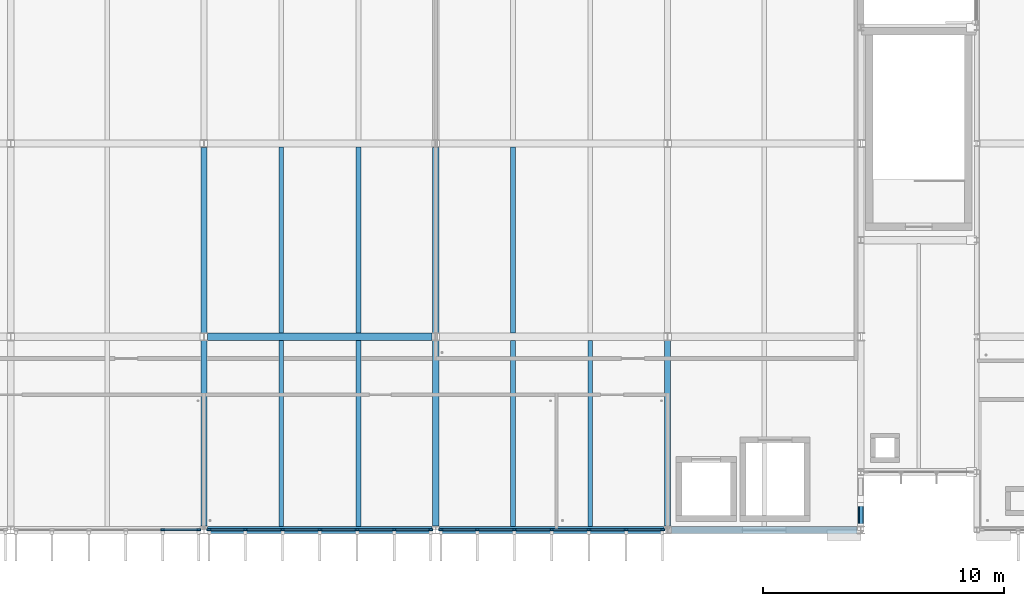
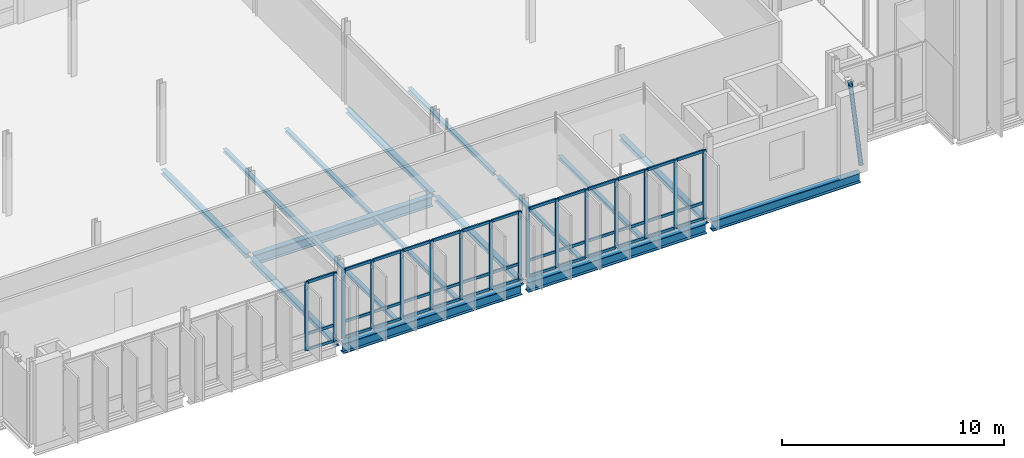
# One storey, part 34 of 110: 56 members, 16 beams, 3 elements without a shape of their own.
"""IFC4 building model written with IfcOpenShell, lengths in metres."""

from ifc_helpers import new_model, si_unit, direction, frame, origin, origin_2d, place, context, subcontext, project, spatial, rectangle, hollow_circle, i_section, extrude, material, material_profile, profile_set, type_object, element, aggregate, save


model = new_model("IFC4")

# Units and contexts
model_context = context("Model", 3, precision=1e-05, world=origin(), true_north=direction((0.0, 1.0)))
body_context = subcontext(model_context, "Body", "Model", "MODEL_VIEW")
ifc_project = project(units=[si_unit("LENGTHUNIT", "METRE"), si_unit("AREAUNIT", "SQUARE_METRE"), si_unit("VOLUMEUNIT", "CUBIC_METRE"), si_unit("PLANEANGLEUNIT", "RADIAN"), si_unit("MASSUNIT", "GRAM", prefix="KILO")], contexts=[model_context])

# Site, building, storey
site_placement = place(None, origin())
site = spatial("IfcSite", under=ifc_project, at=site_placement, CompositionType="ELEMENT")
building_placement = place(site_placement, origin())
building = spatial("IfcBuilding", under=site, at=building_placement, Name="Dunescarp Central Library", CompositionType="ELEMENT")
storey_placement = place(building_placement, frame((0.0, 0.0, 9.60009765625)))
storey = spatial("IfcBuildingStorey", under=building, at=storey_placement, Name="L02", CompositionType="ELEMENT", Elevation=9.60009765625)

# Curtain wall, members
ifc_material_1 = material(Name="Marine-grade anodised aluminium 6063-T6", Category="aluminium")
curtain_wall_type = type_object("IfcCurtainWallType", Name="ARC-CW-STICK", PredefinedType="NOTDEFINED", material=ifc_material_1)
curtain_wall_1_placement = place(storey_placement, origin())
curtain_wall_1 = element("IfcCurtainWall", 1, at=curtain_wall_1_placement, inside=storey, type_object=curtain_wall_type, Name="L02 curtain wall CW-V3-091", PredefinedType="NOTDEFINED")
ifc_material_profile_1 = material_profile(ifc_material_1, rectangle(XDim=0.080078125, YDim=0.179931640625, at=origin_2d()), Name="AL 80x180")
ifc_profile_set_1 = profile_set([ifc_material_profile_1], Name="Marine-grade anodised aluminium 6063-T6")
member_type_1 = type_object("IfcMemberType", Name="ARC-CWM-180", PredefinedType="MULLION", material=ifc_profile_set_1)
member_1_placement = place(storey_placement, frame((97.385009765625, 4.800048828125, 0.0), z_axis=(0.0, 0.0, 1.0), x_axis=(0.0, -1.0, 0.0)))
member_1 = element("IfcMember", 2, at=member_1_placement, type_object=member_type_1, Name="CW-V3-091 mullion 1", PredefinedType="MULLION", context=body_context, shape_type="SweptSolid", body=[
    extrude(rectangle(XDim=0.080078125, YDim=0.179931640625, at=origin_2d()), origin(), (0.0, 0.0, 1.0), 3.77490234375),
])
member_2_placement = place(storey_placement, frame((95.89501953125, 4.800048828125, 0.0), z_axis=(0.0, 0.0, 1.0), x_axis=(0.0, -1.0, 0.0)))
member_2 = element("IfcMember", 3, at=member_2_placement, type_object=member_type_1, Name="CW-V3-091 mullion 2", PredefinedType="MULLION", context=body_context, shape_type="SweptSolid", body=[
    extrude(rectangle(XDim=0.080078125, YDim=0.179931640625, at=origin_2d()), origin(), (0.0, 0.0, 1.0), 3.77490234375),
])

curtain_wall_2_placement = place(storey_placement, origin())
curtain_wall_2 = element("IfcCurtainWall", 4, at=curtain_wall_2_placement, inside=storey, type_object=curtain_wall_type, Name="L02 curtain wall CW-V3-092", PredefinedType="NOTDEFINED")
member_3_placement = place(storey_placement, frame((106.985107421875, 4.800048828125, 0.0), z_axis=(0.0, 0.0, 1.0), x_axis=(0.0, -1.0, 0.0)))
member_3 = element("IfcMember", 5, at=member_3_placement, type_object=member_type_1, Name="CW-V3-092 mullion 1", PredefinedType="MULLION", context=body_context, shape_type="SweptSolid", body=[
    extrude(rectangle(XDim=0.080078125, YDim=0.179931640625, at=origin_2d()), origin(), (0.0, 0.0, 1.0), 3.77490234375),
])
member_4_placement = place(storey_placement, frame((105.4833984375, 4.800048828125, 0.0), z_axis=(0.0, 0.0, 1.0), x_axis=(0.0, -1.0, 0.0)))
member_4 = element("IfcMember", 6, at=member_4_placement, type_object=member_type_1, Name="CW-V3-092 mullion 2", PredefinedType="MULLION", context=body_context, shape_type="SweptSolid", body=[
    extrude(rectangle(XDim=0.080078125, YDim=0.179931640625, at=origin_2d()), origin(), (0.0, 0.0, 1.0), 3.77490234375),
])
member_5_placement = place(storey_placement, frame((103.941650390625, 4.800048828125, 0.0), z_axis=(0.0, 0.0, 1.0), x_axis=(0.0, -1.0, 0.0)))
member_5 = element("IfcMember", 7, at=member_5_placement, type_object=member_type_1, Name="CW-V3-092 mullion 3", PredefinedType="MULLION", context=body_context, shape_type="SweptSolid", body=[
    extrude(rectangle(XDim=0.080078125, YDim=0.179931640625, at=origin_2d()), origin(), (0.0, 0.0, 1.0), 3.77490234375),
])
member_6_placement = place(storey_placement, frame((102.39990234375, 4.800048828125, 0.0), z_axis=(0.0, 0.0, 1.0), x_axis=(0.0, -1.0, 0.0)))
member_6 = element("IfcMember", 8, at=member_6_placement, type_object=member_type_1, Name="CW-V3-092 mullion 4", PredefinedType="MULLION", context=body_context, shape_type="SweptSolid", body=[
    extrude(rectangle(XDim=0.080078125, YDim=0.179931640625, at=origin_2d()), origin(), (0.0, 0.0, 1.0), 3.77490234375),
])
member_7_placement = place(storey_placement, frame((100.8583984375, 4.800048828125, 0.0), z_axis=(0.0, 0.0, 1.0), x_axis=(0.0, -1.0, 0.0)))
member_7 = element("IfcMember", 9, at=member_7_placement, type_object=member_type_1, Name="CW-V3-092 mullion 5", PredefinedType="MULLION", context=body_context, shape_type="SweptSolid", body=[
    extrude(rectangle(XDim=0.080078125, YDim=0.179931640625, at=origin_2d()), origin(), (0.0, 0.0, 1.0), 3.77490234375),
])
member_8_placement = place(storey_placement, frame((99.316650390625, 4.800048828125, 0.0), z_axis=(0.0, 0.0, 1.0), x_axis=(0.0, -1.0, 0.0)))
member_8 = element("IfcMember", 10, at=member_8_placement, type_object=member_type_1, Name="CW-V3-092 mullion 6", PredefinedType="MULLION", context=body_context, shape_type="SweptSolid", body=[
    extrude(rectangle(XDim=0.080078125, YDim=0.179931640625, at=origin_2d()), origin(), (0.0, 0.0, 1.0), 3.77490234375),
])
member_9_placement = place(storey_placement, frame((97.81494140625, 4.800048828125, 0.0), z_axis=(0.0, 0.0, 1.0), x_axis=(0.0, -1.0, 0.0)))
member_9 = element("IfcMember", 11, at=member_9_placement, type_object=member_type_1, Name="CW-V3-092 mullion 7", PredefinedType="MULLION", context=body_context, shape_type="SweptSolid", body=[
    extrude(rectangle(XDim=0.080078125, YDim=0.179931640625, at=origin_2d()), origin(), (0.0, 0.0, 1.0), 3.77490234375),
])

curtain_wall_3_placement = place(storey_placement, origin())
curtain_wall_3 = element("IfcCurtainWall", 12, at=curtain_wall_3_placement, inside=storey, type_object=curtain_wall_type, Name="L02 curtain wall CW-V3-093", PredefinedType="NOTDEFINED")
member_10_placement = place(storey_placement, frame((116.5849609375, 4.800048828125, 0.0), z_axis=(0.0, 0.0, 1.0), x_axis=(0.0, -1.0, 0.0)))
member_10 = element("IfcMember", 13, at=member_10_placement, type_object=member_type_1, Name="CW-V3-093 mullion 1", PredefinedType="MULLION", context=body_context, shape_type="SweptSolid", body=[
    extrude(rectangle(XDim=0.080078125, YDim=0.179931640625, at=origin_2d()), origin(), (0.0, 0.0, 1.0), 3.77490234375),
])
member_11_placement = place(storey_placement, frame((115.083251953125, 4.800048828125, 0.0), z_axis=(0.0, 0.0, 1.0), x_axis=(0.0, -1.0, 0.0)))
member_11 = element("IfcMember", 14, at=member_11_placement, type_object=member_type_1, Name="CW-V3-093 mullion 2", PredefinedType="MULLION", context=body_context, shape_type="SweptSolid", body=[
    extrude(rectangle(XDim=0.080078125, YDim=0.179931640625, at=origin_2d()), origin(), (0.0, 0.0, 1.0), 3.77490234375),
])
member_12_placement = place(storey_placement, frame((113.541748046875, 4.800048828125, 0.0), z_axis=(0.0, 0.0, 1.0), x_axis=(0.0, -1.0, 0.0)))
member_12 = element("IfcMember", 15, at=member_12_placement, type_object=member_type_1, Name="CW-V3-093 mullion 3", PredefinedType="MULLION", context=body_context, shape_type="SweptSolid", body=[
    extrude(rectangle(XDim=0.080078125, YDim=0.179931640625, at=origin_2d()), origin(), (0.0, 0.0, 1.0), 3.77490234375),
])
member_13_placement = place(storey_placement, frame((112.0, 4.800048828125, 0.0), z_axis=(0.0, 0.0, 1.0), x_axis=(0.0, -1.0, 0.0)))
member_13 = element("IfcMember", 16, at=member_13_placement, type_object=member_type_1, Name="CW-V3-093 mullion 4", PredefinedType="MULLION", context=body_context, shape_type="SweptSolid", body=[
    extrude(rectangle(XDim=0.080078125, YDim=0.179931640625, at=origin_2d()), origin(), (0.0, 0.0, 1.0), 3.77490234375),
])
member_14_placement = place(storey_placement, frame((110.458251953125, 4.800048828125, 0.0), z_axis=(0.0, 0.0, 1.0), x_axis=(0.0, -1.0, 0.0)))
member_14 = element("IfcMember", 17, at=member_14_placement, type_object=member_type_1, Name="CW-V3-093 mullion 5", PredefinedType="MULLION", context=body_context, shape_type="SweptSolid", body=[
    extrude(rectangle(XDim=0.080078125, YDim=0.179931640625, at=origin_2d()), origin(), (0.0, 0.0, 1.0), 3.77490234375),
])
member_15_placement = place(storey_placement, frame((108.916748046875, 4.800048828125, 0.0), z_axis=(0.0, 0.0, 1.0), x_axis=(0.0, -1.0, 0.0)))
member_15 = element("IfcMember", 18, at=member_15_placement, type_object=member_type_1, Name="CW-V3-093 mullion 6", PredefinedType="MULLION", context=body_context, shape_type="SweptSolid", body=[
    extrude(rectangle(XDim=0.080078125, YDim=0.179931640625, at=origin_2d()), origin(), (0.0, 0.0, 1.0), 3.77490234375),
])
member_16_placement = place(storey_placement, frame((107.4150390625, 4.800048828125, 0.0), z_axis=(0.0, 0.0, 1.0), x_axis=(0.0, -1.0, 0.0)))
member_16 = element("IfcMember", 19, at=member_16_placement, type_object=member_type_1, Name="CW-V3-093 mullion 7", PredefinedType="MULLION", context=body_context, shape_type="SweptSolid", body=[
    extrude(rectangle(XDim=0.080078125, YDim=0.179931640625, at=origin_2d()), origin(), (0.0, 0.0, 1.0), 3.77490234375),
])

# Member
ifc_material_profile_2 = material_profile(ifc_material_1, rectangle(XDim=0.080078125, YDim=0.14990234375, at=origin_2d()), Name="AL 80x150")
ifc_profile_set_2 = profile_set([ifc_material_profile_2], Name="Marine-grade anodised aluminium 6063-T6")
member_type_2 = type_object("IfcMemberType", Name="ARC-CWT-150", PredefinedType="USERDEFINED", material=ifc_profile_set_2)
member_17_placement = place(storey_placement, frame((97.344970703125, 4.800048828125, 0.039794921875), z_axis=(-1.0, 0.0, 0.0), x_axis=(0.0, -1.0, 0.0)))
member_17 = element("IfcMember", 20, at=member_17_placement, type_object=member_type_2, Name="CW-V3-091 transom 1.1", ObjectType="TRANSOM", PredefinedType="USERDEFINED", context=body_context, shape_type="SweptSolid", body=[
    extrude(rectangle(XDim=0.080078125, YDim=0.14990234375, at=origin_2d()), origin(), (0.0, 0.0, 1.0), 1.409912109375),
])

member_18_placement = place(storey_placement, frame((97.344970703125, 4.800048828125, 0.89990234375), z_axis=(-1.0, 0.0, 0.0), x_axis=(0.0, -1.0, 0.0)))
member_18 = element("IfcMember", 21, at=member_18_placement, type_object=member_type_2, Name="CW-V3-091 transom 1.2", ObjectType="TRANSOM", PredefinedType="USERDEFINED", context=body_context, shape_type="SweptSolid", body=[
    extrude(rectangle(XDim=0.080078125, YDim=0.14990234375, at=origin_2d()), origin(), (0.0, 0.0, 1.0), 1.409912109375),
])

member_19_placement = place(storey_placement, frame((97.344970703125, 4.800048828125, 3.73486328125), z_axis=(-1.0, 0.0, 0.0), x_axis=(0.0, -1.0, 0.0)))
member_19 = element("IfcMember", 22, at=member_19_placement, type_object=member_type_2, Name="CW-V3-091 transom 1.3", ObjectType="TRANSOM", PredefinedType="USERDEFINED", context=body_context, shape_type="SweptSolid", body=[
    extrude(rectangle(XDim=0.080078125, YDim=0.14990234375, at=origin_2d()), origin(), (0.0, 0.0, 1.0), 1.409912109375),
])

aggregate(curtain_wall_1, [member_1, member_2, member_17, member_18, member_19])

member_20_placement = place(storey_placement, frame((106.945068359375, 4.800048828125, 0.039794921875), z_axis=(-1.0, 0.0, 0.0), x_axis=(0.0, -1.0, 0.0)))
member_20 = element("IfcMember", 23, at=member_20_placement, type_object=member_type_2, Name="CW-V3-092 transom 1.1", ObjectType="TRANSOM", PredefinedType="USERDEFINED", context=body_context, shape_type="SweptSolid", body=[
    extrude(rectangle(XDim=0.080078125, YDim=0.14990234375, at=origin_2d()), origin(), (0.0, 0.0, 1.0), 1.421630859375),
])

member_21_placement = place(storey_placement, frame((106.945068359375, 4.800048828125, 0.89990234375), z_axis=(-1.0, 0.0, 0.0), x_axis=(0.0, -1.0, 0.0)))
member_21 = element("IfcMember", 24, at=member_21_placement, type_object=member_type_2, Name="CW-V3-092 transom 1.2", ObjectType="TRANSOM", PredefinedType="USERDEFINED", context=body_context, shape_type="SweptSolid", body=[
    extrude(rectangle(XDim=0.080078125, YDim=0.14990234375, at=origin_2d()), origin(), (0.0, 0.0, 1.0), 1.421630859375),
])

member_22_placement = place(storey_placement, frame((106.945068359375, 4.800048828125, 3.73486328125), z_axis=(-1.0, 0.0, 0.0), x_axis=(0.0, -1.0, 0.0)))
member_22 = element("IfcMember", 25, at=member_22_placement, type_object=member_type_2, Name="CW-V3-092 transom 1.3", ObjectType="TRANSOM", PredefinedType="USERDEFINED", context=body_context, shape_type="SweptSolid", body=[
    extrude(rectangle(XDim=0.080078125, YDim=0.14990234375, at=origin_2d()), origin(), (0.0, 0.0, 1.0), 1.421630859375),
])

member_23_placement = place(storey_placement, frame((105.443359375, 4.800048828125, 0.039794921875), z_axis=(-1.0, 0.0, 0.0), x_axis=(0.0, -1.0, 0.0)))
member_23 = element("IfcMember", 26, at=member_23_placement, type_object=member_type_2, Name="CW-V3-092 transom 2.1", ObjectType="TRANSOM", PredefinedType="USERDEFINED", context=body_context, shape_type="SweptSolid", body=[
    extrude(rectangle(XDim=0.080078125, YDim=0.14990234375, at=origin_2d()), origin(), (0.0, 0.0, 1.0), 1.461669921875),
])

member_24_placement = place(storey_placement, frame((105.443359375, 4.800048828125, 0.89990234375), z_axis=(-1.0, 0.0, 0.0), x_axis=(0.0, -1.0, 0.0)))
member_24 = element("IfcMember", 27, at=member_24_placement, type_object=member_type_2, Name="CW-V3-092 transom 2.2", ObjectType="TRANSOM", PredefinedType="USERDEFINED", context=body_context, shape_type="SweptSolid", body=[
    extrude(rectangle(XDim=0.080078125, YDim=0.14990234375, at=origin_2d()), origin(), (0.0, 0.0, 1.0), 1.461669921875),
])

member_25_placement = place(storey_placement, frame((105.443359375, 4.800048828125, 3.73486328125), z_axis=(-1.0, 0.0, 0.0), x_axis=(0.0, -1.0, 0.0)))
member_25 = element("IfcMember", 28, at=member_25_placement, type_object=member_type_2, Name="CW-V3-092 transom 2.3", ObjectType="TRANSOM", PredefinedType="USERDEFINED", context=body_context, shape_type="SweptSolid", body=[
    extrude(rectangle(XDim=0.080078125, YDim=0.14990234375, at=origin_2d()), origin(), (0.0, 0.0, 1.0), 1.461669921875),
])

member_26_placement = place(storey_placement, frame((103.901611328125, 4.800048828125, 0.039794921875), z_axis=(-1.0, 0.0, 0.0), x_axis=(0.0, -1.0, 0.0)))
member_26 = element("IfcMember", 29, at=member_26_placement, type_object=member_type_2, Name="CW-V3-092 transom 3.1", ObjectType="TRANSOM", PredefinedType="USERDEFINED", context=body_context, shape_type="SweptSolid", body=[
    extrude(rectangle(XDim=0.080078125, YDim=0.14990234375, at=origin_2d()), origin(), (0.0, 0.0, 1.0), 1.461669921875),
])

member_27_placement = place(storey_placement, frame((103.901611328125, 4.800048828125, 0.89990234375), z_axis=(-1.0, 0.0, 0.0), x_axis=(0.0, -1.0, 0.0)))
member_27 = element("IfcMember", 30, at=member_27_placement, type_object=member_type_2, Name="CW-V3-092 transom 3.2", ObjectType="TRANSOM", PredefinedType="USERDEFINED", context=body_context, shape_type="SweptSolid", body=[
    extrude(rectangle(XDim=0.080078125, YDim=0.14990234375, at=origin_2d()), origin(), (0.0, 0.0, 1.0), 1.461669921875),
])

member_28_placement = place(storey_placement, frame((103.901611328125, 4.800048828125, 3.73486328125), z_axis=(-1.0, 0.0, 0.0), x_axis=(0.0, -1.0, 0.0)))
member_28 = element("IfcMember", 31, at=member_28_placement, type_object=member_type_2, Name="CW-V3-092 transom 3.3", ObjectType="TRANSOM", PredefinedType="USERDEFINED", context=body_context, shape_type="SweptSolid", body=[
    extrude(rectangle(XDim=0.080078125, YDim=0.14990234375, at=origin_2d()), origin(), (0.0, 0.0, 1.0), 1.461669921875),
])

member_29_placement = place(storey_placement, frame((102.360107421875, 4.800048828125, 0.039794921875), z_axis=(-1.0, 0.0, 0.0), x_axis=(0.0, -1.0, 0.0)))
member_29 = element("IfcMember", 32, at=member_29_placement, type_object=member_type_2, Name="CW-V3-092 transom 4.1", ObjectType="TRANSOM", PredefinedType="USERDEFINED", context=body_context, shape_type="SweptSolid", body=[
    extrude(rectangle(XDim=0.080078125, YDim=0.14990234375, at=origin_2d()), origin(), (0.0, 0.0, 1.0), 1.461669921875),
])

member_30_placement = place(storey_placement, frame((102.360107421875, 4.800048828125, 0.89990234375), z_axis=(-1.0, 0.0, 0.0), x_axis=(0.0, -1.0, 0.0)))
member_30 = element("IfcMember", 33, at=member_30_placement, type_object=member_type_2, Name="CW-V3-092 transom 4.2", ObjectType="TRANSOM", PredefinedType="USERDEFINED", context=body_context, shape_type="SweptSolid", body=[
    extrude(rectangle(XDim=0.080078125, YDim=0.14990234375, at=origin_2d()), origin(), (0.0, 0.0, 1.0), 1.461669921875),
])

member_31_placement = place(storey_placement, frame((102.360107421875, 4.800048828125, 3.73486328125), z_axis=(-1.0, 0.0, 0.0), x_axis=(0.0, -1.0, 0.0)))
member_31 = element("IfcMember", 34, at=member_31_placement, type_object=member_type_2, Name="CW-V3-092 transom 4.3", ObjectType="TRANSOM", PredefinedType="USERDEFINED", context=body_context, shape_type="SweptSolid", body=[
    extrude(rectangle(XDim=0.080078125, YDim=0.14990234375, at=origin_2d()), origin(), (0.0, 0.0, 1.0), 1.461669921875),
])

member_32_placement = place(storey_placement, frame((100.818359375, 4.800048828125, 0.039794921875), z_axis=(-1.0, 0.0, 0.0), x_axis=(0.0, -1.0, 0.0)))
member_32 = element("IfcMember", 35, at=member_32_placement, type_object=member_type_2, Name="CW-V3-092 transom 5.1", ObjectType="TRANSOM", PredefinedType="USERDEFINED", context=body_context, shape_type="SweptSolid", body=[
    extrude(rectangle(XDim=0.080078125, YDim=0.14990234375, at=origin_2d()), origin(), (0.0, 0.0, 1.0), 1.461669921875),
])

member_33_placement = place(storey_placement, frame((100.818359375, 4.800048828125, 0.89990234375), z_axis=(-1.0, 0.0, 0.0), x_axis=(0.0, -1.0, 0.0)))
member_33 = element("IfcMember", 36, at=member_33_placement, type_object=member_type_2, Name="CW-V3-092 transom 5.2", ObjectType="TRANSOM", PredefinedType="USERDEFINED", context=body_context, shape_type="SweptSolid", body=[
    extrude(rectangle(XDim=0.080078125, YDim=0.14990234375, at=origin_2d()), origin(), (0.0, 0.0, 1.0), 1.461669921875),
])

member_34_placement = place(storey_placement, frame((100.818359375, 4.800048828125, 3.73486328125), z_axis=(-1.0, 0.0, 0.0), x_axis=(0.0, -1.0, 0.0)))
member_34 = element("IfcMember", 37, at=member_34_placement, type_object=member_type_2, Name="CW-V3-092 transom 5.3", ObjectType="TRANSOM", PredefinedType="USERDEFINED", context=body_context, shape_type="SweptSolid", body=[
    extrude(rectangle(XDim=0.080078125, YDim=0.14990234375, at=origin_2d()), origin(), (0.0, 0.0, 1.0), 1.461669921875),
])

member_35_placement = place(storey_placement, frame((99.276611328125, 4.800048828125, 0.039794921875), z_axis=(-1.0, 0.0, 0.0), x_axis=(0.0, -1.0, 0.0)))
member_35 = element("IfcMember", 38, at=member_35_placement, type_object=member_type_2, Name="CW-V3-092 transom 6.1", ObjectType="TRANSOM", PredefinedType="USERDEFINED", context=body_context, shape_type="SweptSolid", body=[
    extrude(rectangle(XDim=0.080078125, YDim=0.14990234375, at=origin_2d()), origin(), (0.0, 0.0, 1.0), 1.421630859375),
])

member_36_placement = place(storey_placement, frame((99.276611328125, 4.800048828125, 0.89990234375), z_axis=(-1.0, 0.0, 0.0), x_axis=(0.0, -1.0, 0.0)))
member_36 = element("IfcMember", 39, at=member_36_placement, type_object=member_type_2, Name="CW-V3-092 transom 6.2", ObjectType="TRANSOM", PredefinedType="USERDEFINED", context=body_context, shape_type="SweptSolid", body=[
    extrude(rectangle(XDim=0.080078125, YDim=0.14990234375, at=origin_2d()), origin(), (0.0, 0.0, 1.0), 1.421630859375),
])

member_37_placement = place(storey_placement, frame((99.276611328125, 4.800048828125, 3.73486328125), z_axis=(-1.0, 0.0, 0.0), x_axis=(0.0, -1.0, 0.0)))
member_37 = element("IfcMember", 40, at=member_37_placement, type_object=member_type_2, Name="CW-V3-092 transom 6.3", ObjectType="TRANSOM", PredefinedType="USERDEFINED", context=body_context, shape_type="SweptSolid", body=[
    extrude(rectangle(XDim=0.080078125, YDim=0.14990234375, at=origin_2d()), origin(), (0.0, 0.0, 1.0), 1.421630859375),
])

aggregate(curtain_wall_2, [member_3, member_4, member_5, member_6, member_7, member_8, member_9, member_20, member_21, member_22, member_23, member_24, member_25, member_26, member_27, member_28, member_29, member_30, member_31, member_32, member_33, member_34, member_35, member_36, member_37])

member_38_placement = place(storey_placement, frame((116.544921875, 4.800048828125, 0.039794921875), z_axis=(-1.0, 0.0, 0.0), x_axis=(0.0, -1.0, 0.0)))
member_38 = element("IfcMember", 41, at=member_38_placement, type_object=member_type_2, Name="CW-V3-093 transom 1.1", ObjectType="TRANSOM", PredefinedType="USERDEFINED", context=body_context, shape_type="SweptSolid", body=[
    extrude(rectangle(XDim=0.080078125, YDim=0.14990234375, at=origin_2d()), origin(), (0.0, 0.0, 1.0), 1.421630859375),
])

member_39_placement = place(storey_placement, frame((116.544921875, 4.800048828125, 0.89990234375), z_axis=(-1.0, 0.0, 0.0), x_axis=(0.0, -1.0, 0.0)))
member_39 = element("IfcMember", 42, at=member_39_placement, type_object=member_type_2, Name="CW-V3-093 transom 1.2", ObjectType="TRANSOM", PredefinedType="USERDEFINED", context=body_context, shape_type="SweptSolid", body=[
    extrude(rectangle(XDim=0.080078125, YDim=0.14990234375, at=origin_2d()), origin(), (0.0, 0.0, 1.0), 1.421630859375),
])

member_40_placement = place(storey_placement, frame((116.544921875, 4.800048828125, 3.73486328125), z_axis=(-1.0, 0.0, 0.0), x_axis=(0.0, -1.0, 0.0)))
member_40 = element("IfcMember", 43, at=member_40_placement, type_object=member_type_2, Name="CW-V3-093 transom 1.3", ObjectType="TRANSOM", PredefinedType="USERDEFINED", context=body_context, shape_type="SweptSolid", body=[
    extrude(rectangle(XDim=0.080078125, YDim=0.14990234375, at=origin_2d()), origin(), (0.0, 0.0, 1.0), 1.421630859375),
])

member_41_placement = place(storey_placement, frame((115.043212890625, 4.800048828125, 0.039794921875), z_axis=(-1.0, 0.0, 0.0), x_axis=(0.0, -1.0, 0.0)))
member_41 = element("IfcMember", 44, at=member_41_placement, type_object=member_type_2, Name="CW-V3-093 transom 2.1", ObjectType="TRANSOM", PredefinedType="USERDEFINED", context=body_context, shape_type="SweptSolid", body=[
    extrude(rectangle(XDim=0.080078125, YDim=0.14990234375, at=origin_2d()), origin(), (0.0, 0.0, 1.0), 1.46142578125),
])

member_42_placement = place(storey_placement, frame((115.043212890625, 4.800048828125, 0.89990234375), z_axis=(-1.0, 0.0, 0.0), x_axis=(0.0, -1.0, 0.0)))
member_42 = element("IfcMember", 45, at=member_42_placement, type_object=member_type_2, Name="CW-V3-093 transom 2.2", ObjectType="TRANSOM", PredefinedType="USERDEFINED", context=body_context, shape_type="SweptSolid", body=[
    extrude(rectangle(XDim=0.080078125, YDim=0.14990234375, at=origin_2d()), origin(), (0.0, 0.0, 1.0), 1.46142578125),
])

member_43_placement = place(storey_placement, frame((115.043212890625, 4.800048828125, 3.73486328125), z_axis=(-1.0, 0.0, 0.0), x_axis=(0.0, -1.0, 0.0)))
member_43 = element("IfcMember", 46, at=member_43_placement, type_object=member_type_2, Name="CW-V3-093 transom 2.3", ObjectType="TRANSOM", PredefinedType="USERDEFINED", context=body_context, shape_type="SweptSolid", body=[
    extrude(rectangle(XDim=0.080078125, YDim=0.14990234375, at=origin_2d()), origin(), (0.0, 0.0, 1.0), 1.46142578125),
])

member_44_placement = place(storey_placement, frame((113.501708984375, 4.800048828125, 0.039794921875), z_axis=(-1.0, 0.0, 0.0), x_axis=(0.0, -1.0, 0.0)))
member_44 = element("IfcMember", 47, at=member_44_placement, type_object=member_type_2, Name="CW-V3-093 transom 3.1", ObjectType="TRANSOM", PredefinedType="USERDEFINED", context=body_context, shape_type="SweptSolid", body=[
    extrude(rectangle(XDim=0.080078125, YDim=0.14990234375, at=origin_2d()), origin(), (0.0, 0.0, 1.0), 1.461669921875),
])

member_45_placement = place(storey_placement, frame((113.501708984375, 4.800048828125, 0.89990234375), z_axis=(-1.0, 0.0, 0.0), x_axis=(0.0, -1.0, 0.0)))
member_45 = element("IfcMember", 48, at=member_45_placement, type_object=member_type_2, Name="CW-V3-093 transom 3.2", ObjectType="TRANSOM", PredefinedType="USERDEFINED", context=body_context, shape_type="SweptSolid", body=[
    extrude(rectangle(XDim=0.080078125, YDim=0.14990234375, at=origin_2d()), origin(), (0.0, 0.0, 1.0), 1.461669921875),
])

member_46_placement = place(storey_placement, frame((113.501708984375, 4.800048828125, 3.73486328125), z_axis=(-1.0, 0.0, 0.0), x_axis=(0.0, -1.0, 0.0)))
member_46 = element("IfcMember", 49, at=member_46_placement, type_object=member_type_2, Name="CW-V3-093 transom 3.3", ObjectType="TRANSOM", PredefinedType="USERDEFINED", context=body_context, shape_type="SweptSolid", body=[
    extrude(rectangle(XDim=0.080078125, YDim=0.14990234375, at=origin_2d()), origin(), (0.0, 0.0, 1.0), 1.461669921875),
])

member_47_placement = place(storey_placement, frame((111.9599609375, 4.800048828125, 0.039794921875), z_axis=(-1.0, 0.0, 0.0), x_axis=(0.0, -1.0, 0.0)))
member_47 = element("IfcMember", 50, at=member_47_placement, type_object=member_type_2, Name="CW-V3-093 transom 4.1", ObjectType="TRANSOM", PredefinedType="USERDEFINED", context=body_context, shape_type="SweptSolid", body=[
    extrude(rectangle(XDim=0.080078125, YDim=0.14990234375, at=origin_2d()), origin(), (0.0, 0.0, 1.0), 1.461669921875),
])

member_48_placement = place(storey_placement, frame((111.9599609375, 4.800048828125, 0.89990234375), z_axis=(-1.0, 0.0, 0.0), x_axis=(0.0, -1.0, 0.0)))
member_48 = element("IfcMember", 51, at=member_48_placement, type_object=member_type_2, Name="CW-V3-093 transom 4.2", ObjectType="TRANSOM", PredefinedType="USERDEFINED", context=body_context, shape_type="SweptSolid", body=[
    extrude(rectangle(XDim=0.080078125, YDim=0.14990234375, at=origin_2d()), origin(), (0.0, 0.0, 1.0), 1.461669921875),
])

member_49_placement = place(storey_placement, frame((111.9599609375, 4.800048828125, 3.73486328125), z_axis=(-1.0, 0.0, 0.0), x_axis=(0.0, -1.0, 0.0)))
member_49 = element("IfcMember", 52, at=member_49_placement, type_object=member_type_2, Name="CW-V3-093 transom 4.3", ObjectType="TRANSOM", PredefinedType="USERDEFINED", context=body_context, shape_type="SweptSolid", body=[
    extrude(rectangle(XDim=0.080078125, YDim=0.14990234375, at=origin_2d()), origin(), (0.0, 0.0, 1.0), 1.461669921875),
])

member_50_placement = place(storey_placement, frame((110.418212890625, 4.800048828125, 0.039794921875), z_axis=(-1.0, 0.0, 0.0), x_axis=(0.0, -1.0, 0.0)))
member_50 = element("IfcMember", 53, at=member_50_placement, type_object=member_type_2, Name="CW-V3-093 transom 5.1", ObjectType="TRANSOM", PredefinedType="USERDEFINED", context=body_context, shape_type="SweptSolid", body=[
    extrude(rectangle(XDim=0.080078125, YDim=0.14990234375, at=origin_2d()), origin(), (0.0, 0.0, 1.0), 1.46142578125),
])

member_51_placement = place(storey_placement, frame((110.418212890625, 4.800048828125, 0.89990234375), z_axis=(-1.0, 0.0, 0.0), x_axis=(0.0, -1.0, 0.0)))
member_51 = element("IfcMember", 54, at=member_51_placement, type_object=member_type_2, Name="CW-V3-093 transom 5.2", ObjectType="TRANSOM", PredefinedType="USERDEFINED", context=body_context, shape_type="SweptSolid", body=[
    extrude(rectangle(XDim=0.080078125, YDim=0.14990234375, at=origin_2d()), origin(), (0.0, 0.0, 1.0), 1.46142578125),
])

member_52_placement = place(storey_placement, frame((110.418212890625, 4.800048828125, 3.73486328125), z_axis=(-1.0, 0.0, 0.0), x_axis=(0.0, -1.0, 0.0)))
member_52 = element("IfcMember", 55, at=member_52_placement, type_object=member_type_2, Name="CW-V3-093 transom 5.3", ObjectType="TRANSOM", PredefinedType="USERDEFINED", context=body_context, shape_type="SweptSolid", body=[
    extrude(rectangle(XDim=0.080078125, YDim=0.14990234375, at=origin_2d()), origin(), (0.0, 0.0, 1.0), 1.46142578125),
])

member_53_placement = place(storey_placement, frame((108.876708984375, 4.800048828125, 0.039794921875), z_axis=(-1.0, 0.0, 0.0), x_axis=(0.0, -1.0, 0.0)))
member_53 = element("IfcMember", 56, at=member_53_placement, type_object=member_type_2, Name="CW-V3-093 transom 6.1", ObjectType="TRANSOM", PredefinedType="USERDEFINED", context=body_context, shape_type="SweptSolid", body=[
    extrude(rectangle(XDim=0.080078125, YDim=0.14990234375, at=origin_2d()), origin(), (0.0, 0.0, 1.0), 1.421630859375),
])

member_54_placement = place(storey_placement, frame((108.876708984375, 4.800048828125, 0.89990234375), z_axis=(-1.0, 0.0, 0.0), x_axis=(0.0, -1.0, 0.0)))
member_54 = element("IfcMember", 57, at=member_54_placement, type_object=member_type_2, Name="CW-V3-093 transom 6.2", ObjectType="TRANSOM", PredefinedType="USERDEFINED", context=body_context, shape_type="SweptSolid", body=[
    extrude(rectangle(XDim=0.080078125, YDim=0.14990234375, at=origin_2d()), origin(), (0.0, 0.0, 1.0), 1.421630859375),
])

member_55_placement = place(storey_placement, frame((108.876708984375, 4.800048828125, 3.73486328125), z_axis=(-1.0, 0.0, 0.0), x_axis=(0.0, -1.0, 0.0)))
member_55 = element("IfcMember", 58, at=member_55_placement, type_object=member_type_2, Name="CW-V3-093 transom 6.3", ObjectType="TRANSOM", PredefinedType="USERDEFINED", context=body_context, shape_type="SweptSolid", body=[
    extrude(rectangle(XDim=0.080078125, YDim=0.14990234375, at=origin_2d()), origin(), (0.0, 0.0, 1.0), 1.421630859375),
])

aggregate(curtain_wall_3, [member_10, member_11, member_12, member_13, member_14, member_15, member_16, member_38, member_39, member_40, member_41, member_42, member_43, member_44, member_45, member_46, member_47, member_48, member_49, member_50, member_51, member_52, member_53, member_54, member_55])

# Beams
ifc_material_2 = material(Name="Steel S355JR", Category="steel")
ifc_material_profile_3 = material_profile(ifc_material_2, i_section(OverallWidth=0.260009765625, OverallDepth=0.25, WebThickness=0.007568359375, FlangeThickness=0.012451171875, at=origin_2d()), Name="HEA 260")
ifc_profile_set_3 = profile_set([ifc_material_profile_3], Name="Steel S355JR")
beam_type_1 = type_object("IfcBeamType", Name="STR-BM-HEA260", PredefinedType="BEAM", material=ifc_profile_set_3)
for number, where, z_axis, x_axis, name in (
    (59, (97.60009765625, 4.95703125, -0.335205078125), (0.0, 1.0, 0.0), (-1.0, 0.0, 0.0), "L02 girder BM-L02-0751"),
    (60, (97.60009765625, 12.95703125, -0.335205078125), (0.0, 1.0, 0.0), (-1.0, 0.0, 0.0), "L02 girder BM-L02-0754"),
    (61, (107.199951171875, 4.95703125, -0.335205078125), (0.0, 1.0, 0.0), (-1.0, 0.0, 0.0), "L02 girder BM-L02-0764"),
    (62, (107.199951171875, 12.95703125, -0.335205078125), (0.0, 1.0, 0.0), (-1.0, 0.0, 0.0), "L02 girder BM-L02-0768"),
    (63, (116.800048828125, 4.95703125, -0.335205078125), (0.0, 1.0, 0.0), (-1.0, 0.0, 0.0), "L02 girder BM-L02-0781"),
):
    element("IfcBeam", number, at=place(storey_placement, frame(where, z_axis=z_axis, x_axis=x_axis)), inside=storey, type_object=beam_type_1, Name=name, PredefinedType="BEAM", context=body_context, shape_type="SweptSolid", body=[
        extrude(i_section(OverallWidth=0.260009765625, OverallDepth=0.25, WebThickness=0.007568359375, FlangeThickness=0.012451171875, at=origin_2d()), origin(), (0.0, 0.0, 1.0), 7.68603515625),
    ])
ifc_material_profile_4 = material_profile(ifc_material_2, i_section(OverallWidth=0.300048828125, OverallDepth=0.550048828125, WebThickness=0.014892578125, FlangeThickness=0.029052734375, at=origin_2d()), Name="HEB 550")
ifc_profile_set_4 = profile_set([ifc_material_profile_4], Name="Steel S355JR")
beam_type_2 = type_object("IfcBeamType", Name="STR-BM-HEB550", PredefinedType="BEAM", material=ifc_profile_set_4)
for number, where, z_axis, x_axis, name in (
    (64, (97.751953125, 4.800048828125, -0.485107421875), (1.0, 0.0, 0.0), (0.0, 1.0, 0.0), "L02 girder BM-L02-0762"),
    (65, (97.751953125, 12.800048828125, -0.485107421875), (1.0, 0.0, 0.0), (0.0, 1.0, 0.0), "L02 girder BM-L02-0763"),
):
    element("IfcBeam", number, at=place(storey_placement, frame(where, z_axis=z_axis, x_axis=x_axis)), inside=storey, type_object=beam_type_2, Name=name, PredefinedType="BEAM", context=body_context, shape_type="SweptSolid", body=[
        extrude(i_section(OverallWidth=0.300048828125, OverallDepth=0.550048828125, WebThickness=0.014892578125, FlangeThickness=0.029052734375, at=origin_2d()), origin(), (0.0, 0.0, 1.0), 9.296142578125),
    ])
beam_1_placement = place(storey_placement, frame((107.35205078125, 4.800048828125, -0.485107421875), z_axis=(1.0, 0.0, 0.0), x_axis=(0.0, 1.0, 0.0)))
element("IfcBeam", 66, at=beam_1_placement, inside=storey, type_object=beam_type_2, Name="L02 girder BM-L02-0779", PredefinedType="BEAM", context=body_context, shape_type="SweptSolid", body=[
    extrude(i_section(OverallWidth=0.300048828125, OverallDepth=0.550048828125, WebThickness=0.014892578125, FlangeThickness=0.029052734375, at=origin_2d()), origin(), (0.0, 0.0, 1.0), 9.2958984375),
])
beam_2_placement = place(storey_placement, frame((116.951904296875, 4.800048828125, -0.485107421875), z_axis=(1.0, 0.0, 0.0), x_axis=(0.0, 1.0, 0.0)))
element("IfcBeam", 67, at=beam_2_placement, inside=storey, type_object=beam_type_2, Name="L02 girder BM-L02-0796", PredefinedType="BEAM", context=body_context, shape_type="SweptSolid", body=[
    extrude(i_section(OverallWidth=0.300048828125, OverallDepth=0.550048828125, WebThickness=0.014892578125, FlangeThickness=0.029052734375, at=origin_2d()), origin(), (0.0, 0.0, 1.0), 7.696044921875),
])

# Member
ifc_material_3 = material(Name="Steel S355J0", Category="steel")
ifc_material_profile_5 = material_profile(ifc_material_3, hollow_circle(Radius=0.109619140625, WallThickness=0.010009765625, at=origin_2d()), Name="CHS 219.1x10")
ifc_profile_set_5 = profile_set([ifc_material_profile_5], Name="Steel S355J0")
member_type_3 = type_object("IfcMemberType", Name="STR-BR-219", PredefinedType="BRACE", material=ifc_profile_set_5)
member_56_placement = place(storey_placement, frame((124.800048828125, 4.919921875, 0.0), z_axis=(0.0, 0.241398356802, 0.970426109157), x_axis=(-1.0, 0.0, 0.0)))
element("IfcMember", 68, at=member_56_placement, inside=storey, type_object=member_type_3, Name="L02 concentric brace BR-L02-045", PredefinedType="BRACE", context=body_context, shape_type="SweptSolid", body=[
    extrude(hollow_circle(Radius=0.109619140625, WallThickness=0.010009765625, at=origin_2d()), origin(), (0.0, 0.0, 1.0), 4.142578125),
])

# Beams
ifc_material_profile_6 = material_profile(ifc_material_2, i_section(OverallWidth=0.199951171875, OverallDepth=0.18994140625, WebThickness=0.006591796875, FlangeThickness=0.010009765625, at=origin_2d()), Name="HEA 200")
ifc_profile_set_6 = profile_set([ifc_material_profile_6], Name="Steel S355JR")
beam_type_3 = type_object("IfcBeamType", Name="STR-JS-HEA200", PredefinedType="JOIST", material=ifc_profile_set_6)
for number, where, z_axis, x_axis, name in (
    (69, (100.800048828125, 4.947998046875, -0.30517578125), (0.0, 1.0, 0.0), (-1.0, 0.0, 0.0), "L02 joist JS-L02-0765"),
    (70, (104.0, 4.947998046875, -0.30517578125), (0.0, 1.0, 0.0), (-1.0, 0.0, 0.0), "L02 joist JS-L02-0766"),
    (71, (100.800048828125, 12.947998046875, -0.30517578125), (0.0, 1.0, 0.0), (-1.0, 0.0, 0.0), "L02 joist JS-L02-0769"),
    (72, (104.0, 12.947998046875, -0.30517578125), (0.0, 1.0, 0.0), (-1.0, 0.0, 0.0), "L02 joist JS-L02-0770"),
    (73, (110.39990234375, 4.947998046875, -0.30517578125), (0.0, 1.0, 0.0), (-1.0, 0.0, 0.0), "L02 joist JS-L02-0782"),
    (74, (113.60009765625, 4.947998046875, -0.30517578125), (0.0, 1.0, 0.0), (-1.0, 0.0, 0.0), "L02 joist JS-L02-0783"),
    (75, (110.39990234375, 12.947998046875, -0.30517578125), (0.0, 1.0, 0.0), (-1.0, 0.0, 0.0), "L02 joist JS-L02-0786"),
):
    element("IfcBeam", number, at=place(storey_placement, frame(where, z_axis=z_axis, x_axis=x_axis)), inside=storey, type_object=beam_type_3, Name=name, PredefinedType="JOIST", context=body_context, shape_type="SweptSolid", body=[
        extrude(i_section(OverallWidth=0.199951171875, OverallDepth=0.18994140625, WebThickness=0.006591796875, FlangeThickness=0.010009765625, at=origin_2d()), origin(), (0.0, 0.0, 1.0), 7.7041015625),
    ])

save(model, "model.ifc")
